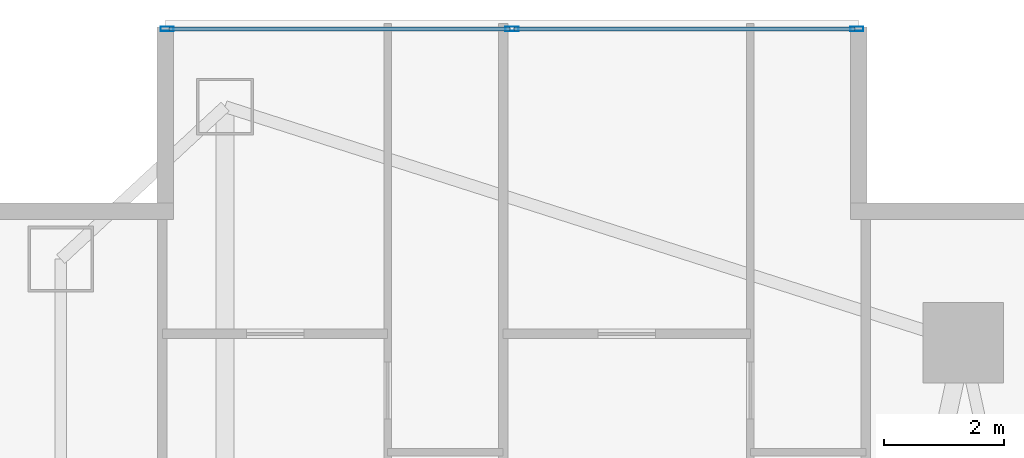
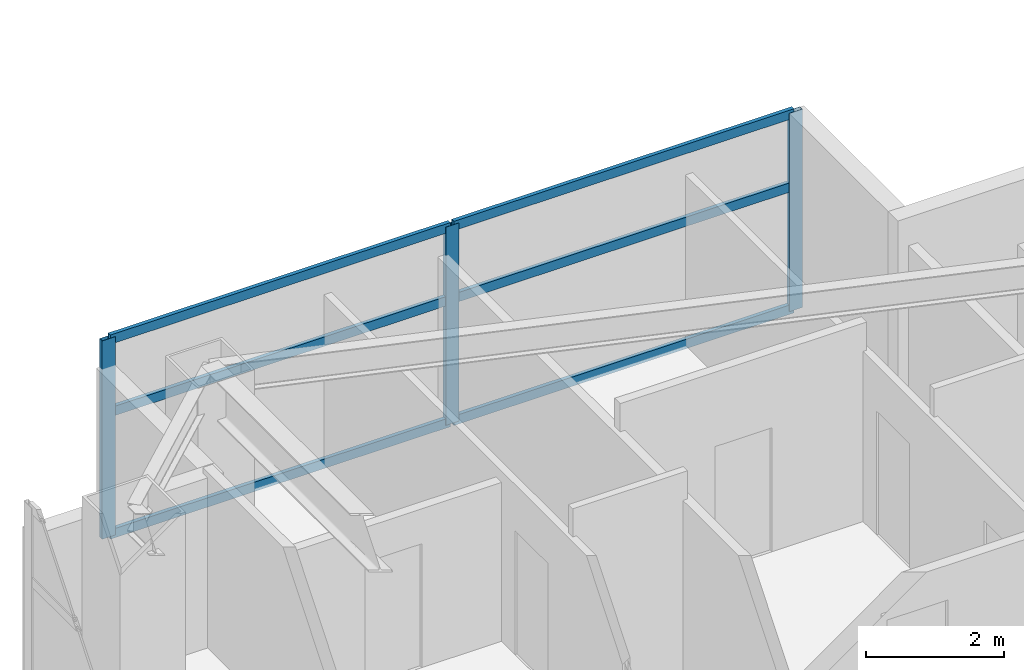
# One storey, part 18 of 28: 9 members, 1 element without a shape of its own.
"""IFC4 building model written with IfcOpenShell, lengths in metres."""

from ifc_helpers import new_model, si_unit, direction, frame, origin, origin_2d, place, context, subcontext, project, spatial, hollow_rectangle, extrude, material, layer, layer_set, material_profile, profile_set, type_object, element, aggregate, save


model = new_model("IFC4")

# Units and contexts
model_context = context("Model", 3, precision=1e-05, world=origin(), true_north=direction((0.0, 1.0)))
body_context = subcontext(model_context, "Body", "Model", "MODEL_VIEW")
ifc_project = project(units=[si_unit("LENGTHUNIT", "METRE"), si_unit("AREAUNIT", "SQUARE_METRE"), si_unit("VOLUMEUNIT", "CUBIC_METRE"), si_unit("PLANEANGLEUNIT", "RADIAN"), si_unit("MASSUNIT", "GRAM", prefix="KILO")], contexts=[model_context])

# Site, building, storey
site_placement = place(None, origin())
site = spatial("IfcSite", under=ifc_project, at=site_placement, CompositionType="ELEMENT")
building_placement = place(site_placement, origin())
building = spatial("IfcBuilding", under=site, at=building_placement, Name="Calvorn Quay Hotel", CompositionType="ELEMENT")
storey_placement = place(building_placement, frame((0.0, 0.0, 42.199951171875)))
storey = spatial("IfcBuildingStorey", under=building, at=storey_placement, Name="L09", CompositionType="ELEMENT", Elevation=42.199951171875)

# Curtain wall, members
ifc_material_1 = material(Name="Pale Anodised Aluminium and Low-E Glass", Category="aluminium")
ifc_layer = layer(ifc_material_1, 0.219970703125)
ifc_layer_set = layer_set([ifc_layer], Name="CW-SYS-Z1")
curtain_wall_type = type_object("IfcCurtainWallType", Name="CW-SYS-Z1", PredefinedType="NOTDEFINED", material=ifc_layer_set)
curtain_wall_placement = place(storey_placement, origin())
curtain_wall = element("IfcCurtainWall", 1, at=curtain_wall_placement, inside=storey, type_object=curtain_wall_type, Name="Inner Court Curtain Wall L09-N1", PredefinedType="NOTDEFINED")
ifc_material_2 = material(Name="Pale Anodised Aluminium 6063-T6", Category="aluminium")
ifc_material_profile_1 = material_profile(ifc_material_2, hollow_rectangle(XDim=0.074951171875, YDim=0.219970703125, WallThickness=0.00439453125, at=origin_2d()), Name="ALU-M220x75x4.5")
ifc_profile_set_1 = profile_set([ifc_material_profile_1], Name="Pale Anodised Aluminium 6063-T6")
member_type_1 = type_object("IfcMemberType", Name="CW-SYS-Z1-MUL", PredefinedType="MULLION", material=ifc_profile_set_1)
member_1_placement = place(storey_placement, frame((14.77001953125, 50.85009765625, 0.0), z_axis=(0.0, 0.0, 1.0), x_axis=(0.0, -1.0, 0.0)))
member_1 = element("IfcMember", 2, at=member_1_placement, type_object=member_type_1, Name="CW-L09-N1 mullion 1", PredefinedType="MULLION", context=body_context, shape_type="SweptSolid", body=[
    extrude(hollow_rectangle(XDim=0.074951171875, YDim=0.219970703125, WallThickness=0.00439453125, at=origin_2d()), origin(), (0.0, 0.0, 1.0), 3.52001953125),
])
member_2_placement = place(storey_placement, frame((9.0, 50.85009765625, 0.0), z_axis=(0.0, 0.0, 1.0), x_axis=(0.0, -1.0, 0.0)))
member_2 = element("IfcMember", 3, at=member_2_placement, type_object=member_type_1, Name="CW-L09-N1 mullion 2", PredefinedType="MULLION", context=body_context, shape_type="SweptSolid", body=[
    extrude(hollow_rectangle(XDim=0.074951171875, YDim=0.219970703125, WallThickness=0.00439453125, at=origin_2d()), origin(), (0.0, 0.0, 1.0), 3.52001953125),
])
member_3_placement = place(storey_placement, frame((3.22998046875, 50.85009765625, 0.0), z_axis=(0.0, 0.0, 1.0), x_axis=(0.0, -1.0, 0.0)))
member_3 = element("IfcMember", 4, at=member_3_placement, type_object=member_type_1, Name="CW-L09-N1 mullion 3", PredefinedType="MULLION", context=body_context, shape_type="SweptSolid", body=[
    extrude(hollow_rectangle(XDim=0.074951171875, YDim=0.219970703125, WallThickness=0.00439453125, at=origin_2d()), origin(), (0.0, 0.0, 1.0), 3.52001953125),
])
ifc_material_3 = material(Name="Pale Anodised Aluminium 6063-T6", Category="aluminium")
ifc_material_profile_2 = material_profile(ifc_material_3, hollow_rectangle(XDim=0.06494140625, YDim=0.1650390625, WallThickness=0.00341796875, at=origin_2d()), Name="ALU-T165x65x3.5")
ifc_profile_set_2 = profile_set([ifc_material_profile_2], Name="Pale Anodised Aluminium 6063-T6")
member_type_2 = type_object("IfcMemberType", Name="CW-SYS-Z1-TRN", PredefinedType="USERDEFINED", material=ifc_profile_set_2)
member_4_placement = place(storey_placement, frame((14.739990234375, 50.85009765625, 0.030029296875), z_axis=(-1.0, 0.0, 0.0), x_axis=(0.0, -1.0, 0.0)))
member_4 = element("IfcMember", 5, at=member_4_placement, type_object=member_type_2, Name="CW-L09-N1 transom 1.1", ObjectType="TRANSOM", PredefinedType="USERDEFINED", context=body_context, shape_type="SweptSolid", body=[
    extrude(hollow_rectangle(XDim=0.06494140625, YDim=0.1650390625, WallThickness=0.00341796875, at=origin_2d()), origin(), (0.0, 0.0, 1.0), 5.7099609375),
])
member_5_placement = place(storey_placement, frame((14.739990234375, 50.85009765625, 2.199951171875), z_axis=(-1.0, 0.0, 0.0), x_axis=(0.0, -1.0, 0.0)))
member_5 = element("IfcMember", 6, at=member_5_placement, type_object=member_type_2, Name="CW-L09-N1 transom 1.2", ObjectType="TRANSOM", PredefinedType="USERDEFINED", context=body_context, shape_type="SweptSolid", body=[
    extrude(hollow_rectangle(XDim=0.06494140625, YDim=0.1650390625, WallThickness=0.00341796875, at=origin_2d()), origin(), (0.0, 0.0, 1.0), 5.7099609375),
])
member_6_placement = place(storey_placement, frame((14.739990234375, 50.85009765625, 3.489990234375), z_axis=(-1.0, 0.0, 0.0), x_axis=(0.0, -1.0, 0.0)))
member_6 = element("IfcMember", 7, at=member_6_placement, type_object=member_type_2, Name="CW-L09-N1 transom 1.3", ObjectType="TRANSOM", PredefinedType="USERDEFINED", context=body_context, shape_type="SweptSolid", body=[
    extrude(hollow_rectangle(XDim=0.06494140625, YDim=0.1650390625, WallThickness=0.00341796875, at=origin_2d()), origin(), (0.0, 0.0, 1.0), 5.7099609375),
])
member_7_placement = place(storey_placement, frame((8.969970703125, 50.85009765625, 0.030029296875), z_axis=(-1.0, 0.0, 0.0), x_axis=(0.0, -1.0, 0.0)))
member_7 = element("IfcMember", 8, at=member_7_placement, type_object=member_type_2, Name="CW-L09-N1 transom 2.1", ObjectType="TRANSOM", PredefinedType="USERDEFINED", context=body_context, shape_type="SweptSolid", body=[
    extrude(hollow_rectangle(XDim=0.06494140625, YDim=0.1650390625, WallThickness=0.00341796875, at=origin_2d()), origin(), (0.0, 0.0, 1.0), 5.7099609375),
])
member_8_placement = place(storey_placement, frame((8.969970703125, 50.85009765625, 2.199951171875), z_axis=(-1.0, 0.0, 0.0), x_axis=(0.0, -1.0, 0.0)))
member_8 = element("IfcMember", 9, at=member_8_placement, type_object=member_type_2, Name="CW-L09-N1 transom 2.2", ObjectType="TRANSOM", PredefinedType="USERDEFINED", context=body_context, shape_type="SweptSolid", body=[
    extrude(hollow_rectangle(XDim=0.06494140625, YDim=0.1650390625, WallThickness=0.00341796875, at=origin_2d()), origin(), (0.0, 0.0, 1.0), 5.7099609375),
])
member_9_placement = place(storey_placement, frame((8.969970703125, 50.85009765625, 3.489990234375), z_axis=(-1.0, 0.0, 0.0), x_axis=(0.0, -1.0, 0.0)))
member_9 = element("IfcMember", 10, at=member_9_placement, type_object=member_type_2, Name="CW-L09-N1 transom 2.3", ObjectType="TRANSOM", PredefinedType="USERDEFINED", context=body_context, shape_type="SweptSolid", body=[
    extrude(hollow_rectangle(XDim=0.06494140625, YDim=0.1650390625, WallThickness=0.00341796875, at=origin_2d()), origin(), (0.0, 0.0, 1.0), 5.7099609375),
])
aggregate(curtain_wall, [member_1, member_2, member_3, member_4, member_5, member_6, member_7, member_8, member_9])

save(model, "model.ifc")
